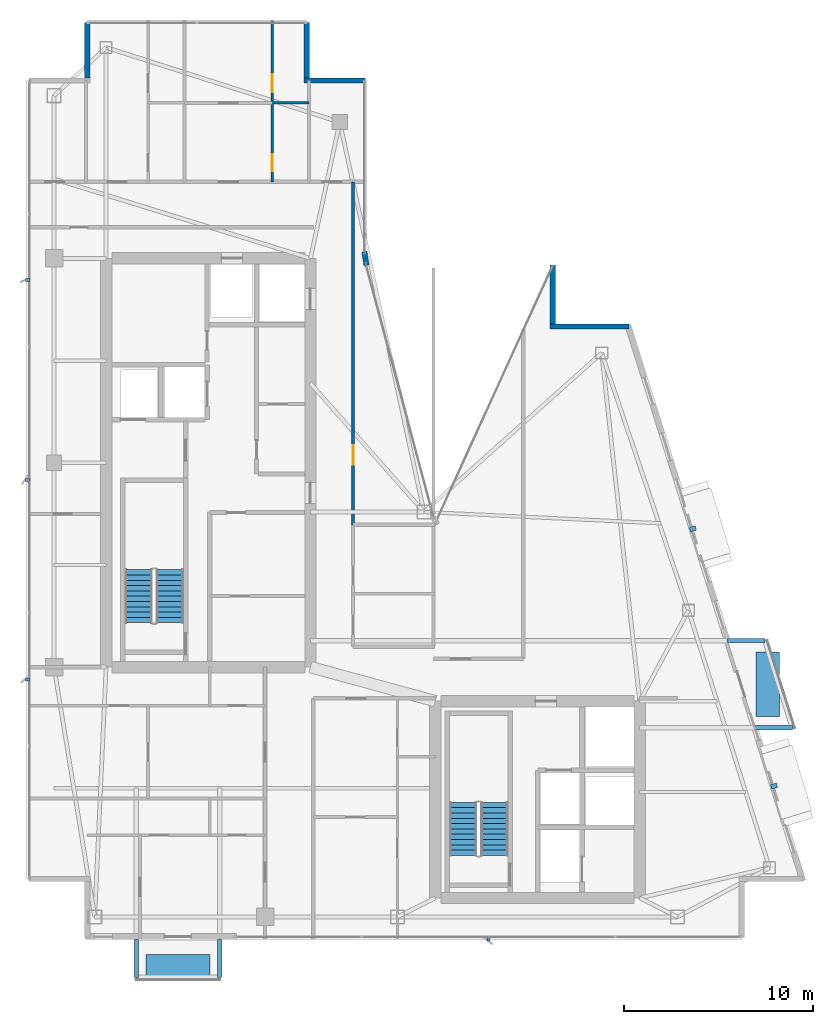
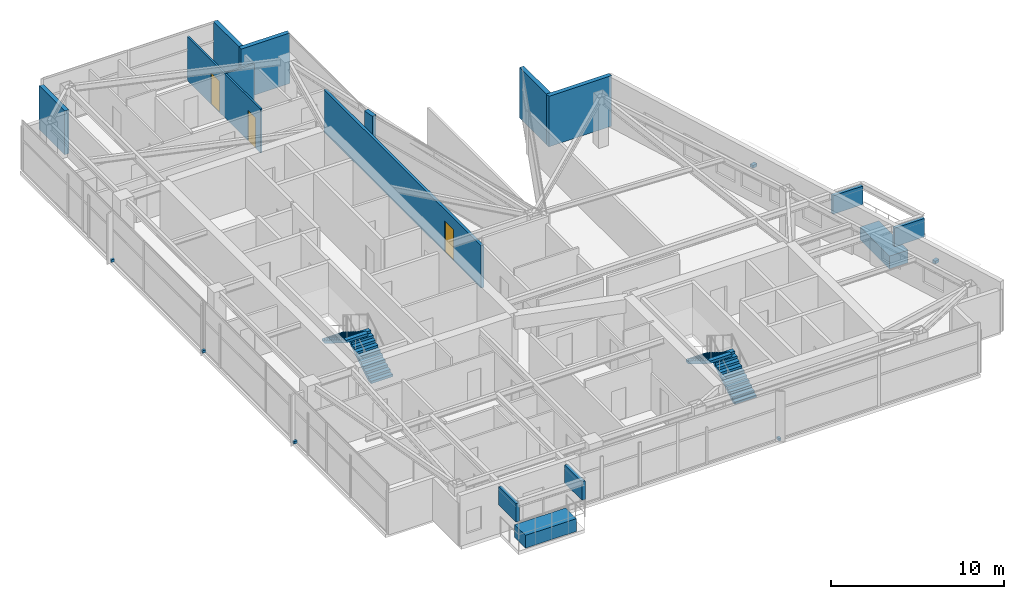
# One storey, part 25 of 27: 12 discrete accessories, 9 walls, 4 stair flights, 3 doors, 3 openings, 2 elements without a shape of their own.
"""IFC4 building model written with IfcOpenShell, lengths in metres."""

from ifc_helpers import new_model, si_unit, direction, frame, frame_2d, origin, origin_2d, place, context, subcontext, project, spatial, polyline, rectangle, outline, extrude, material, layer, layer_set, type_object, element, fill, aggregate, save


model = new_model("IFC4")

# Units and contexts
model_context = context("Model", 3, precision=1e-05, world=origin(), true_north=direction((0.0, 1.0)))
body_context = subcontext(model_context, "Body", "Model", "MODEL_VIEW")
ifc_project = project(units=[si_unit("LENGTHUNIT", "METRE"), si_unit("AREAUNIT", "SQUARE_METRE"), si_unit("VOLUMEUNIT", "CUBIC_METRE"), si_unit("PLANEANGLEUNIT", "RADIAN"), si_unit("MASSUNIT", "GRAM", prefix="KILO")], contexts=[model_context])

# Site, building, storey
site_placement = place(None, origin())
site = spatial("IfcSite", under=ifc_project, at=site_placement, CompositionType="ELEMENT")
building_placement = place(site_placement, origin())
building = spatial("IfcBuilding", under=site, at=building_placement, Name="Calvorn Quay Hotel", CompositionType="ELEMENT")
storey_placement = place(building_placement, frame((0.0, 0.0, 294.89990234375)))
storey = spatial("IfcBuildingStorey", under=building, at=storey_placement, Name="L73", CompositionType="ELEMENT", Elevation=294.89990234375)

# Wall, opening, door
ifc_material_1 = material(Name="Acoustic Fireboard Steel-Stud Partition", Category="steel")
ifc_layer_1 = layer(ifc_material_1, 0.179931640625)
ifc_layer_set_1 = layer_set([ifc_layer_1], Name="WL-CORR-FIRE-180")
wall_type_1 = type_object("IfcWallType", Name="WL-CORR-FIRE-180", PredefinedType="PARTITIONING", material=ifc_layer_set_1)
wall_1_placement = place(storey_placement, frame((17.25, 24.300048828125, 0.0), z_axis=(0.0, 0.0, 1.0), x_axis=(0.0, 1.0, 0.0)))
wall_1 = element("IfcWall", 1, at=wall_1_placement, inside=storey, type_object=wall_type_1, Name="Partition Wall L73-WL-NW-CLOSURE-E", PredefinedType="PARTITIONING", context=body_context, shape_type="SweptSolid", body=[
    extrude(rectangle(XDim=18.14990234375, YDim=0.179931640625, at=frame_2d((9.074951171875, 0.0))), origin(), (0.0, 0.0, 1.0), 2.989990234375),
])
opening_1_placement = place(wall_1_placement, frame((3.199951171875, 0.0, 0.0)))
opening_1 = element("IfcOpeningElement", 2, at=opening_1_placement, cuts=wall_1, Name="Opening D-L73-NCU", PredefinedType="OPENING", context=body_context, shape_type="SweptSolid", body=[
    extrude(rectangle(XDim=1.02001953125, YDim=2.199951171875, at=frame_2d((0.510009765625, 1.10009765625))), frame((0.0, 0.099853515625, 0.0), z_axis=(0.0, -1.0, 0.0), x_axis=(1.0, 0.0, 0.0)), (0.0, 0.0, 1.0), 0.199951171875),
])
ifc_material_2 = material(Name="Solid-Core Walnut Veneer Hotel Fire Door")
door_type_1 = type_object("IfcDoorType", Name="DR-GUEST-ENTRY-1020", OperationType="NOTDEFINED", PredefinedType="DOOR", material=ifc_material_2)
door_1_placement = place(opening_1_placement, origin())
door_1 = element("IfcDoor", 3, at=door_1_placement, inside=storey, type_object=door_type_1, Name="Inner Court Horizon Study Door (L73)", OperationType="SINGLE_SWING_RIGHT", OverallHeight=2.199951171875, OverallWidth=1.02001953125, PredefinedType="DOOR", context=body_context, shape_type="SweptSolid", body=[
    extrude(rectangle(XDim=1.02001953125, YDim=2.199951171875, at=frame_2d((0.510009765625, 1.10009765625))), frame((0.0, 0.02490234375, 0.0), z_axis=(0.0, -1.0, 0.0), x_axis=(1.0, 0.0, 0.0)), (0.0, 0.0, 1.0), 0.050048828125),
])
fill(opening_1, door_1)

# Wall
ifc_material_3 = material(Name="Moisture-Resistant Tile-Backed Partition")
ifc_layer_2 = layer(ifc_material_3, 0.125)
ifc_layer_set_2 = layer_set([ifc_layer_2], Name="WL-ENSUITE-125")
wall_type_2 = type_object("IfcWallType", Name="WL-ENSUITE-125", PredefinedType="PARTITIONING", material=ifc_layer_set_2)
wall_2_placement = place(storey_placement, frame((12.989990234375, 46.6201171875, 0.0), z_axis=(0.0, 0.0, 1.0), x_axis=(1.0, 0.0, 0.0)))
element("IfcWall", 4, at=wall_2_placement, inside=storey, type_object=wall_type_2, Name="Partition Wall L73-WL-U05-BDV", PredefinedType="PARTITIONING", context=body_context, shape_type="SweptSolid", body=[
    extrude(rectangle(XDim=1.929931640625, YDim=0.125, at=frame_2d((0.96484375, 0.0))), origin(), (0.0, 0.0, 1.0), 3.090087890625),
])

# Wall, openings, doors
wall_3_placement = place(storey_placement, frame((12.989990234375, 42.449951171875, 0.0), z_axis=(0.0, 0.0, 1.0), x_axis=(0.0, 1.0, 0.0)))
wall_3 = element("IfcWall", 5, at=wall_3_placement, inside=storey, type_object=wall_type_2, Name="Partition Wall L73-WL-U05-BV", PredefinedType="PARTITIONING", context=body_context, shape_type="SweptSolid", body=[
    extrude(rectangle(XDim=8.489990234375, YDim=0.125, at=frame_2d((4.2451171875, 0.0))), origin(), (0.0, 0.0, 1.0), 3.090087890625),
])
opening_2_placement = place(wall_3_placement, frame((0.550048828125, 0.0, 0.0)))
opening_2 = element("IfcOpeningElement", 6, at=opening_2_placement, cuts=wall_3, Name="Opening D-L73-E05", PredefinedType="OPENING", context=body_context, shape_type="SweptSolid", body=[
    extrude(rectangle(XDim=0.89990234375, YDim=2.14990234375, at=frame_2d((0.449951171875, 1.074951171875))), frame((0.0, 0.072509765625, 0.0), z_axis=(0.0, -1.0, 0.0), x_axis=(1.0, 0.0, 0.0)), (0.0, 0.0, 1.0), 0.14501953125),
])
opening_3_placement = place(wall_3_placement, frame((4.719970703125, 0.0, 0.0)))
opening_3 = element("IfcOpeningElement", 7, at=opening_3_placement, cuts=wall_3, Name="Opening D-L73-S05", PredefinedType="OPENING", context=body_context, shape_type="SweptSolid", body=[
    extrude(rectangle(XDim=0.9599609375, YDim=2.199951171875, at=frame_2d((0.47998046875, 1.10009765625))), frame((0.0, 0.072509765625, 0.0), z_axis=(0.0, -1.0, 0.0), x_axis=(1.0, 0.0, 0.0)), (0.0, 0.0, 1.0), 0.14501953125),
])
ifc_material_4 = material(Name="Moisture-Sealed Timber En-Suite Door", Category="wood")
door_type_2 = type_object("IfcDoorType", Name="DR-ENSUITE-900", OperationType="NOTDEFINED", PredefinedType="DOOR", material=ifc_material_4)
door_2_placement = place(opening_2_placement, origin())
door_2 = element("IfcDoor", 8, at=door_2_placement, inside=storey, type_object=door_type_2, Name="En-Suite Door 05", OperationType="SINGLE_SWING_LEFT", OverallHeight=2.14990234375, OverallWidth=0.89990234375, PredefinedType="DOOR", context=body_context, shape_type="SweptSolid", body=[
    extrude(rectangle(XDim=0.89990234375, YDim=2.14990234375, at=frame_2d((0.449951171875, 1.074951171875))), frame((0.0, 0.02490234375, 0.0), z_axis=(0.0, -1.0, 0.0), x_axis=(1.0, 0.0, 0.0)), (0.0, 0.0, 1.0), 0.050048828125),
])
fill(opening_2, door_2)
ifc_material_5 = material(Name="Solid Timber Internal Suite Door", Category="wood")
door_type_3 = type_object("IfcDoorType", Name="DR-SUITE-INT-960", OperationType="NOTDEFINED", PredefinedType="DOOR", material=ifc_material_5)
door_3_placement = place(opening_3_placement, origin())
door_3 = element("IfcDoor", 9, at=door_3_placement, inside=storey, type_object=door_type_3, Name="Executive Work Office Door 05", OperationType="SINGLE_SWING_RIGHT", OverallHeight=2.199951171875, OverallWidth=0.9599609375, PredefinedType="DOOR", context=body_context, shape_type="SweptSolid", body=[
    extrude(rectangle(XDim=0.9599609375, YDim=2.199951171875, at=frame_2d((0.47998046875, 1.10009765625))), frame((0.0, 0.02490234375, 0.0), z_axis=(0.0, -1.0, 0.0), x_axis=(1.0, 0.0, 0.0)), (0.0, 0.0, 1.0), 0.050048828125),
])
fill(opening_3, door_3)

# Walls
ifc_material_6 = material(Name="Concrete C40", Category="concrete")
ifc_layer_3 = layer(ifc_material_6, 0.320068359375)
ifc_layer_set_3 = layer_set([ifc_layer_3], Name="WL-EXT-SPANDREL-320")
wall_type_3 = type_object("IfcWallType", Name="WL-EXT-SPANDREL-320", PredefinedType="SOLIDWALL", material=ifc_layer_set_3)
wall_4_placement = place(storey_placement, frame((17.9619140625, 38.030029296875, 0.0), z_axis=(0.0, 0.0, 1.0), x_axis=(-0.15141125477, 0.988470855377, 0.0)))
element("IfcWall", 10, at=wall_4_placement, inside=storey, type_object=wall_type_3, Name="Inner Court Corner Pier L73-ICJ2", PredefinedType="SOLIDWALL", context=body_context, shape_type="SweptSolid", body=[
    extrude(rectangle(XDim=0.738525390625, YDim=0.280029296875, at=frame_2d((0.369140625, 0.0))), origin(), (0.0, 0.0, 1.0), 3.56005859375),
])
wall_5_placement = place(storey_placement, frame((31.840087890625, 34.800048828125, 0.0), z_axis=(0.0, 0.0, 1.0), x_axis=(-1.0, 0.0, 0.0)))
element("IfcWall", 11, at=wall_5_placement, inside=storey, type_object=wall_type_3, Name="Notched Corner Spandrel L73-NE1", PredefinedType="SOLIDWALL", context=body_context, shape_type="SweptSolid", body=[
    extrude(rectangle(XDim=4.18017578125, YDim=0.280029296875, at=frame_2d((2.090087890625, 0.0))), origin(), (0.0, 0.0, 1.0), 3.56005859375),
])
wall_6_placement = place(storey_placement, frame((27.800048828125, 34.93994140625, 0.0), z_axis=(0.0, 0.0, 1.0), x_axis=(0.0, 1.0, 0.0)))
element("IfcWall", 12, at=wall_6_placement, inside=storey, type_object=wall_type_3, Name="Notched Corner Spandrel L73-NE2", PredefinedType="SOLIDWALL", context=body_context, shape_type="SweptSolid", body=[
    extrude(rectangle(XDim=3.10009765625, YDim=0.280029296875, at=frame_2d((1.550048828125, 0.0))), origin(), (0.0, 0.0, 1.0), 3.56005859375),
])
wall_7_placement = place(storey_placement, frame((17.89990234375, 47.800048828125, 0.0), z_axis=(0.0, 0.0, 1.0), x_axis=(-1.0, 0.0, 0.0)))
element("IfcWall", 13, at=wall_7_placement, inside=storey, type_object=wall_type_3, Name="Notched Corner Spandrel L73-NWE1", PredefinedType="SOLIDWALL", context=body_context, shape_type="SweptSolid", body=[
    extrude(rectangle(XDim=3.239990234375, YDim=0.280029296875, at=frame_2d((1.6201171875, 0.0))), origin(), (0.0, 0.0, 1.0), 3.56005859375),
])
wall_8_placement = place(storey_placement, frame((14.800048828125, 47.93994140625, 0.0), z_axis=(0.0, 0.0, 1.0), x_axis=(0.0, 1.0, 0.0)))
element("IfcWall", 14, at=wall_8_placement, inside=storey, type_object=wall_type_3, Name="Notched Corner Spandrel L73-NWE2", PredefinedType="SOLIDWALL", context=body_context, shape_type="SweptSolid", body=[
    extrude(rectangle(XDim=2.93994140625, YDim=0.280029296875, at=frame_2d((1.469970703125, 0.0))), origin(), (0.0, 0.0, 1.0), 3.56005859375),
])
wall_9_placement = place(storey_placement, frame((3.199951171875, 50.8798828125, 0.0), z_axis=(0.0, 0.0, 1.0), x_axis=(0.0, -1.0, 0.0)))
element("IfcWall", 15, at=wall_9_placement, inside=storey, type_object=wall_type_3, Name="Notched Corner Spandrel L73-NW1", PredefinedType="SOLIDWALL", context=body_context, shape_type="SweptSolid", body=[
    extrude(rectangle(XDim=2.93994140625, YDim=0.280029296875, at=frame_2d((1.469970703125, 0.0))), origin(), (0.0, 0.0, 1.0), 3.090087890625),
])

# Stair, stair flights
ifc_material_7 = material(Name="Concrete C40", Category="concrete")
stair_type = type_object("IfcStairType", Name="STR-CORE-DOGLEG", PredefinedType="HALF_TURN_STAIR", material=ifc_material_7)
stair_1_placement = place(storey_placement, origin())
stair_1 = element("IfcStair", 16, at=stair_1_placement, inside=storey, type_object=stair_type, Name="L73 ST-W", PredefinedType="HALF_TURN_STAIR")
ifc_material_8 = material(Name="Concrete C40", Category="concrete")
stair_flight_type = type_object("IfcStairFlightType", Name="FLT-CORE-1550", PredefinedType="STRAIGHT", material=ifc_material_8)
stair_flight_1_placement = place(storey_placement, frame((7.574951171875, 19.14990234375, 0.0), z_axis=(0.0, 0.0, 1.0), x_axis=(0.0, 1.0, 0.0)))
stair_flight_1 = element("IfcStairFlight", 17, at=stair_flight_1_placement, type_object=stair_flight_type, Name="ST-W flight 1", NumberOfRisers=11, NumberOfTreads=10, PredefinedType="STRAIGHT", RiserHeight=0.172727273, TreadLength=0.28, context=body_context, shape_type="SweptSolid", body=[
    extrude(outline(polyline([(0.0, 0.0), (0.0, 0.172607421875), (0.280029296875, 0.172607421875), (0.280029296875, 0.345458984375), (0.56005859375, 0.345458984375), (0.56005859375, 0.51806640625), (0.840087890625, 0.51806640625), (0.840087890625, 0.69091796875), (1.1201171875, 0.69091796875), (1.1201171875, 0.863525390625), (1.39990234375, 0.863525390625), (1.39990234375, 1.036376953125), (1.679931640625, 1.036376953125), (1.679931640625, 1.208984375), (1.9599609375, 1.208984375), (1.9599609375, 1.3818359375), (2.239990234375, 1.3818359375), (2.239990234375, 1.554443359375), (2.52001953125, 1.554443359375), (2.52001953125, 1.727294921875), (2.800048828125, 1.727294921875), (2.800048828125, 1.89990234375), (2.800048828125, 1.551025390625), (0.285400390625, 0.0), (0.0, 0.0)])), frame((0.0, 0.72509765625, 0.0), z_axis=(0.0, -1.0, 0.0), x_axis=(1.0, 0.0, 0.0)), (0.0, 0.0, 1.0), 1.449951171875),
])
stair_flight_2_placement = place(storey_placement, frame((5.925048828125, 21.949951171875, 1.900146484375), z_axis=(0.0, 0.0, 1.0), x_axis=(0.0, -1.0, 0.0)))
stair_flight_2 = element("IfcStairFlight", 18, at=stair_flight_2_placement, type_object=stair_flight_type, Name="ST-W flight 2", NumberOfRisers=11, NumberOfTreads=10, PredefinedType="STRAIGHT", RiserHeight=0.172727273, TreadLength=0.28, context=body_context, shape_type="SweptSolid", body=[
    extrude(outline(polyline([(0.0, 0.0), (0.0, 0.172607421875), (0.280029296875, 0.172607421875), (0.280029296875, 0.345458984375), (0.56005859375, 0.345458984375), (0.56005859375, 0.51806640625), (0.840087890625, 0.51806640625), (0.840087890625, 0.69091796875), (1.1201171875, 0.69091796875), (1.1201171875, 0.863525390625), (1.39990234375, 0.863525390625), (1.39990234375, 1.036376953125), (1.679931640625, 1.036376953125), (1.679931640625, 1.208984375), (1.9599609375, 1.208984375), (1.9599609375, 1.3818359375), (2.239990234375, 1.3818359375), (2.239990234375, 1.554443359375), (2.52001953125, 1.554443359375), (2.52001953125, 1.727294921875), (2.800048828125, 1.727294921875), (2.800048828125, 1.89990234375), (2.800048828125, 1.551025390625), (0.285400390625, 0.0), (0.0, 0.0)])), frame((0.0, 0.72509765625, 0.0), z_axis=(0.0, -1.0, 0.0), x_axis=(1.0, 0.0, 0.0)), (0.0, 0.0, 1.0), 1.449951171875),
])
aggregate(stair_1, [stair_flight_1, stair_flight_2])

stair_2_placement = place(storey_placement, origin())
stair_2 = element("IfcStair", 19, at=stair_2_placement, inside=storey, type_object=stair_type, Name="L73 ST-E", PredefinedType="HALF_TURN_STAIR")
stair_flight_3_placement = place(storey_placement, frame((24.72509765625, 6.85009765625, 0.0), z_axis=(0.0, 0.0, 1.0), x_axis=(0.0, 1.0, 0.0)))
stair_flight_3 = element("IfcStairFlight", 20, at=stair_flight_3_placement, type_object=stair_flight_type, Name="ST-E flight 1", NumberOfRisers=11, NumberOfTreads=10, PredefinedType="STRAIGHT", RiserHeight=0.172727273, TreadLength=0.28, context=body_context, shape_type="SweptSolid", body=[
    extrude(outline(polyline([(0.0, 0.0), (0.0, 0.172607421875), (0.280029296875, 0.172607421875), (0.280029296875, 0.345458984375), (0.56005859375, 0.345458984375), (0.56005859375, 0.51806640625), (0.840087890625, 0.51806640625), (0.840087890625, 0.69091796875), (1.1201171875, 0.69091796875), (1.1201171875, 0.863525390625), (1.39990234375, 0.863525390625), (1.39990234375, 1.036376953125), (1.679931640625, 1.036376953125), (1.679931640625, 1.208984375), (1.9599609375, 1.208984375), (1.9599609375, 1.3818359375), (2.239990234375, 1.3818359375), (2.239990234375, 1.554443359375), (2.52001953125, 1.554443359375), (2.52001953125, 1.727294921875), (2.800048828125, 1.727294921875), (2.800048828125, 1.89990234375), (2.800048828125, 1.551025390625), (0.285400390625, 0.0), (0.0, 0.0)])), frame((0.0, 0.72509765625, 0.0), z_axis=(0.0, -1.0, 0.0), x_axis=(1.0, 0.0, 0.0)), (0.0, 0.0, 1.0), 1.449951171875),
])
stair_flight_4_placement = place(storey_placement, frame((23.074951171875, 9.64990234375, 1.900146484375), z_axis=(0.0, 0.0, 1.0), x_axis=(0.0, -1.0, 0.0)))
stair_flight_4 = element("IfcStairFlight", 21, at=stair_flight_4_placement, type_object=stair_flight_type, Name="ST-E flight 2", NumberOfRisers=11, NumberOfTreads=10, PredefinedType="STRAIGHT", RiserHeight=0.172727273, TreadLength=0.28, context=body_context, shape_type="SweptSolid", body=[
    extrude(outline(polyline([(0.0, 0.0), (0.0, 0.172607421875), (0.280029296875, 0.172607421875), (0.280029296875, 0.345458984375), (0.56005859375, 0.345458984375), (0.56005859375, 0.51806640625), (0.840087890625, 0.51806640625), (0.840087890625, 0.69091796875), (1.1201171875, 0.69091796875), (1.1201171875, 0.863525390625), (1.39990234375, 0.863525390625), (1.39990234375, 1.036376953125), (1.679931640625, 1.036376953125), (1.679931640625, 1.208984375), (1.9599609375, 1.208984375), (1.9599609375, 1.3818359375), (2.239990234375, 1.3818359375), (2.239990234375, 1.554443359375), (2.52001953125, 1.554443359375), (2.52001953125, 1.727294921875), (2.800048828125, 1.727294921875), (2.800048828125, 1.89990234375), (2.800048828125, 1.551025390625), (0.285400390625, 0.0), (0.0, 0.0)])), frame((0.0, 0.72509765625, 0.0), z_axis=(0.0, -1.0, 0.0), x_axis=(1.0, 0.0, 0.0)), (0.0, 0.0, 1.0), 1.449951171875),
])
aggregate(stair_2, [stair_flight_3, stair_flight_4])

# Discrete accessories
ifc_material_9 = material(Name="Steel Q355B", Category="steel")
discrete_accessory_type_1 = type_object("IfcDiscreteAccessoryType", Name="ACC-BALC-STRUT", PredefinedType="BRACKET", material=ifc_material_9)
for number, where, z_axis, x_axis, name in (
    (22, (39.47412109375, 13.60009765625, 2.01513671875), (0.0, 0.0, 1.0), (1.0, 0.0, 0.0), "Exterior Balcony Steel Bracket L74-BALC-E-A"),
    (23, (38.02490234375, 18.199951171875, 2.01513671875), (0.0, 0.0, 1.0), (1.0, 0.0, 0.0), "Exterior Balcony Steel Bracket L74-BALC-E-B"),
):
    element("IfcDiscreteAccessory", number, at=place(storey_placement, frame(where, z_axis=z_axis, x_axis=x_axis)), inside=storey, type_object=discrete_accessory_type_1, Name=name, PredefinedType="BRACKET", context=body_context, shape_type="SweptSolid", body=[
        extrude(rectangle(XDim=1.989990234375, YDim=0.219970703125, at=origin_2d()), origin(), (0.0, 0.0, 1.0), 1.300048828125),
    ])
for number, where, z_axis, x_axis, name in (
    (24, (5.800048828125, 1.405029296875, 2.01513671875), (0.0, 0.0, 1.0), (1.0, 0.0, 0.0), "Exterior Balcony Steel Bracket L74-BALC-S-A"),
    (25, (10.199951171875, 1.405029296875, 2.01513671875), (0.0, 0.0, 1.0), (1.0, 0.0, 0.0), "Exterior Balcony Steel Bracket L74-BALC-S-B"),
):
    element("IfcDiscreteAccessory", number, at=place(storey_placement, frame(where, z_axis=z_axis, x_axis=x_axis)), inside=storey, type_object=discrete_accessory_type_1, Name=name, PredefinedType="BRACKET", context=body_context, shape_type="SweptSolid", body=[
        extrude(rectangle(XDim=0.219970703125, YDim=1.989990234375, at=origin_2d()), origin(), (0.0, 0.0, 1.0), 1.300048828125),
    ])
ifc_material_10 = material(Name="Steel Q355B", Category="steel")
discrete_accessory_type_2 = type_object("IfcDiscreteAccessoryType", Name="ACC-FIN-BRACKET", PredefinedType="BRACKET", material=ifc_material_10)
for number, where, z_axis, x_axis, name in (
    (26, (0.06005859375, 16.14990234375, 0.0302734375), (0.0, 0.0, 1.0), (1.0, 0.0, 0.0), "Fin Anchor Bracket L73-W01"),
    (27, (0.06005859375, 26.699951171875, 0.0302734375), (0.0, 0.0, 1.0), (1.0, 0.0, 0.0), "Fin Anchor Bracket L73-W02"),
    (28, (0.06005859375, 37.25, 0.0302734375), (0.0, 0.0, 1.0), (1.0, 0.0, 0.0), "Fin Anchor Bracket L73-W03"),
    (29, (24.39990234375, 2.4599609375, 0.0302734375), (0.0, 0.0, 1.0), (0.0, 1.0, 0.0), "Fin Anchor Bracket L73-S01"),
):
    element("IfcDiscreteAccessory", number, at=place(storey_placement, frame(where, z_axis=z_axis, x_axis=x_axis)), inside=storey, type_object=discrete_accessory_type_2, Name=name, PredefinedType="BRACKET", context=body_context, shape_type="SweptSolid", body=[
        extrude(rectangle(XDim=0.239990234375, YDim=0.159912109375, at=origin_2d()), origin(), (0.0, 0.0, 1.0), 0.179931640625),
    ])
for number, where, z_axis, x_axis, name in (
    (30, (39.4951171875, 10.511962890625, 2.3701171875), (0.0, 0.0, 1.0), (0.957319497532, 0.289031796944, 0.0), "Bay Hood Support Bracket L73-HOOD-1"),
    (31, (35.2099609375, 24.112060546875, 2.3701171875), (0.0, 0.0, 1.0), (0.957319497532, 0.289031796944, 0.0), "Bay Hood Support Bracket L73-HOOD-3"),
):
    element("IfcDiscreteAccessory", number, at=place(storey_placement, frame(where, z_axis=z_axis, x_axis=x_axis)), inside=storey, type_object=discrete_accessory_type_2, Name=name, PredefinedType="BRACKET", context=body_context, shape_type="SweptSolid", body=[
        extrude(rectangle(XDim=0.320068359375, YDim=0.239990234375, at=origin_2d()), origin(), (0.0, 0.0, 1.0), 0.199951171875),
    ])
ifc_material_11 = material(Name="Precast concrete C40", Category="concrete")
discrete_accessory_type_3 = type_object("IfcDiscreteAccessoryType", Name="ACC-TREE-PLANTER", PredefinedType="USERDEFINED", material=ifc_material_11)
discrete_accessory_1_placement = place(storey_placement, frame((39.1640625, 15.89990234375, 0.000244140625), z_axis=(0.0, 0.0, 1.0), x_axis=(1.0, 0.0, 0.0)))
element("IfcDiscreteAccessory", 32, at=discrete_accessory_1_placement, inside=storey, type_object=discrete_accessory_type_3, Name="Subtropical Tree Structural Planter L73-BALC-E", ObjectType="PLANTER", PredefinedType="USERDEFINED", context=body_context, shape_type="SweptSolid", body=[
    extrude(rectangle(XDim=1.25, YDim=3.39990234375, at=origin_2d()), origin(), (0.0, 0.0, 1.0), 0.89990234375),
])
discrete_accessory_2_placement = place(storey_placement, frame((8.0, 0.989990234375, 0.000244140625), z_axis=(0.0, 0.0, 1.0), x_axis=(1.0, 0.0, 0.0)))
element("IfcDiscreteAccessory", 33, at=discrete_accessory_2_placement, inside=storey, type_object=discrete_accessory_type_3, Name="Subtropical Tree Structural Planter L73-BALC-S", ObjectType="PLANTER", PredefinedType="USERDEFINED", context=body_context, shape_type="SweptSolid", body=[
    extrude(rectangle(XDim=3.39990234375, YDim=1.25, at=origin_2d()), origin(), (0.0, 0.0, 1.0), 0.89990234375),
])

save(model, "model.ifc")
